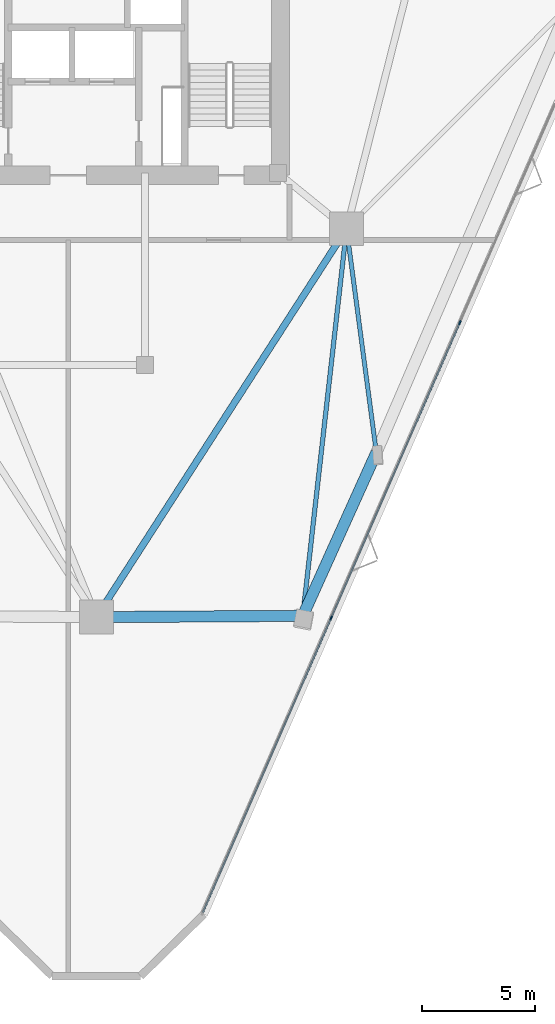
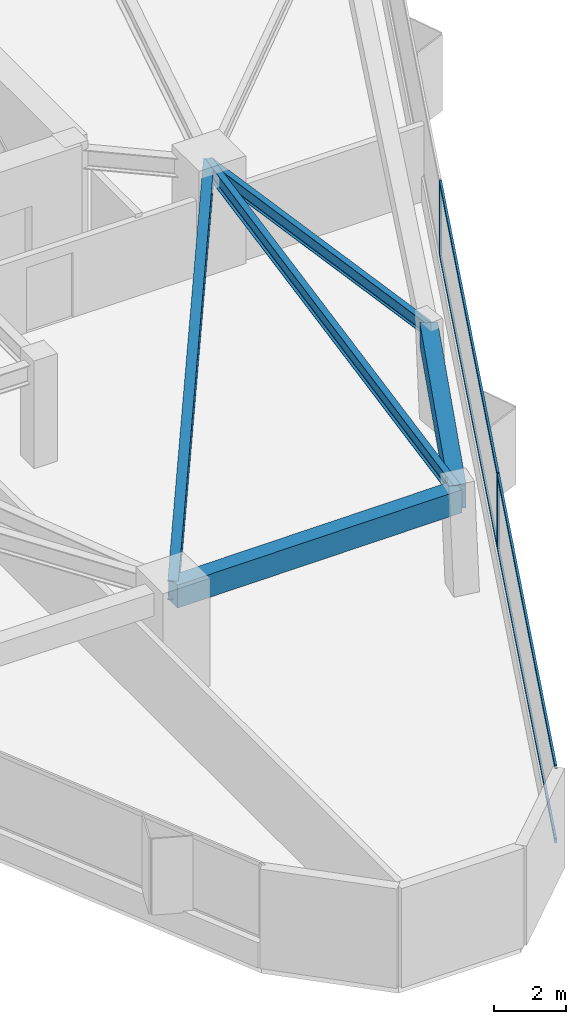
# One storey, part 3 of 11: 6 members, 5 beams, 1 element without a shape of its own.
"""IFC4 building model written with IfcOpenShell, lengths in metres."""

from ifc_helpers import new_model, si_unit, direction, frame, origin, origin_2d, place, context, subcontext, project, spatial, rectangle, i_section, extrude, material, layer, layer_set, material_profile, profile_set, type_object, element, aggregate, save


model = new_model("IFC4")

# Units and contexts
model_context = context("Model", 3, precision=1e-05, world=origin(), true_north=direction((0.0, 1.0)))
body_context = subcontext(model_context, "Body", "Model", "MODEL_VIEW")
ifc_project = project(units=[si_unit("LENGTHUNIT", "METRE"), si_unit("AREAUNIT", "SQUARE_METRE"), si_unit("VOLUMEUNIT", "CUBIC_METRE"), si_unit("PLANEANGLEUNIT", "RADIAN"), si_unit("MASSUNIT", "GRAM", prefix="KILO")], contexts=[model_context])

# Site, building, storey
site_placement = place(None, origin())
site = spatial("IfcSite", under=ifc_project, at=site_placement, CompositionType="ELEMENT")
building_placement = place(site_placement, origin())
building = spatial("IfcBuilding", under=site, at=building_placement, Name="Talyreon Biosciences Tower", CompositionType="ELEMENT")
storey_placement = place(building_placement, frame((0.0, 0.0, 160.050048828125)))
storey = spatial("IfcBuildingStorey", under=building, at=storey_placement, Name="L42", CompositionType="ELEMENT", Elevation=160.050048828125)

# Curtain wall, members
ifc_material_1 = material(Name="Thermally broken aluminium and low-E glazing", Category="aluminium")
ifc_layer = layer(ifc_material_1, 0.18505859375)
ifc_layer_set = layer_set([ifc_layer], Name="Thermally broken aluminium and low-E glazing")
curtain_wall_type = type_object("IfcCurtainWallType", Name="CurtainWall_Zone3Bioprocess", PredefinedType="NOTDEFINED", material=ifc_layer_set)
curtain_wall_placement = place(storey_placement, origin())
curtain_wall = element("IfcCurtainWall", 1, at=curtain_wall_placement, inside=storey, type_object=curtain_wall_type, Name="L42 Unitised Curtain Wall FCW-L42-08", PredefinedType="NOTDEFINED")
ifc_material_2 = material(Name="Anodised thermally broken aluminium", Category="aluminium")
ifc_material_profile_1 = material_profile(ifc_material_2, rectangle(XDim=0.06494140625, YDim=0.179931640625, at=origin_2d()), Name="ALUM MULLION 65x180")
ifc_profile_set_1 = profile_set([ifc_material_profile_1], Name="Anodised thermally broken aluminium")
member_type_1 = type_object("IfcMemberType", Name="CWMullion_65x180", PredefinedType="MULLION", material=ifc_profile_set_1)
member_1_placement = place(storey_placement, frame((82.107177734375, 54.717041015625, 0.81005859375), z_axis=(0.0, 0.0, 1.0), x_axis=(0.916731187474, -0.399504605621, 0.0)))
member_1 = element("IfcMember", 2, at=member_1_placement, type_object=member_type_1, Name="CW4 mullion 3", PredefinedType="MULLION", context=body_context, shape_type="SweptSolid", body=[
    extrude(rectangle(XDim=0.06494140625, YDim=0.179931640625, at=origin_2d()), origin(), (0.0, 0.0, 1.0), 2.56494140625),
])
member_2_placement = place(storey_placement, frame((76.400390625, 41.6220703125, 0.81005859375), z_axis=(0.0, 0.0, 1.0), x_axis=(0.916731187474, -0.399504605621, 0.0)))
member_2 = element("IfcMember", 3, at=member_2_placement, type_object=member_type_1, Name="CW4 mullion 4", PredefinedType="MULLION", context=body_context, shape_type="SweptSolid", body=[
    extrude(rectangle(XDim=0.06494140625, YDim=0.179931640625, at=origin_2d()), origin(), (0.0, 0.0, 1.0), 2.56494140625),
])
ifc_material_profile_2 = material_profile(ifc_material_2, rectangle(XDim=0.06494140625, YDim=0.139892578125, at=origin_2d()), Name="ALUM TRANSOM 65x140")
ifc_profile_set_2 = profile_set([ifc_material_profile_2], Name="Anodised thermally broken aluminium")
member_type_2 = type_object("IfcMemberType", Name="CWTransom_65x140", PredefinedType="USERDEFINED", material=ifc_profile_set_2)
member_3_placement = place(storey_placement, frame((82.09423828125, 54.687255859375, 0.842529296875), z_axis=(-0.39951512908, -0.916726601357, 0.0), x_axis=(0.916726601357, -0.39951512908, 0.0)))
member_3 = element("IfcMember", 4, at=member_3_placement, type_object=member_type_2, Name="CW4 transom 3.1", ObjectType="TRANSOM", PredefinedType="USERDEFINED", context=body_context, shape_type="SweptSolid", body=[
    extrude(rectangle(XDim=0.06494140625, YDim=0.139892578125, at=origin_2d()), origin(), (0.0, 0.0, 1.0), 14.219482421875),
])
member_4_placement = place(storey_placement, frame((82.09423828125, 54.687255859375, 3.342529296875), z_axis=(-0.39951512908, -0.916726601357, 0.0), x_axis=(0.916726601357, -0.39951512908, 0.0)))
member_4 = element("IfcMember", 5, at=member_4_placement, type_object=member_type_2, Name="CW4 transom 3.2", ObjectType="TRANSOM", PredefinedType="USERDEFINED", context=body_context, shape_type="SweptSolid", body=[
    extrude(rectangle(XDim=0.06494140625, YDim=0.139892578125, at=origin_2d()), origin(), (0.0, 0.0, 1.0), 14.219482421875),
])
member_5_placement = place(storey_placement, frame((76.387451171875, 41.592041015625, 0.842529296875), z_axis=(-0.399503101725, -0.916731842859, 0.0), x_axis=(0.916731842859, -0.399503101725, 0.0)))
member_5 = element("IfcMember", 6, at=member_5_placement, type_object=member_type_2, Name="CW4 transom 4.1", ObjectType="TRANSOM", PredefinedType="USERDEFINED", context=body_context, shape_type="SweptSolid", body=[
    extrude(rectangle(XDim=0.06494140625, YDim=0.139892578125, at=origin_2d()), origin(), (0.0, 0.0, 1.0), 14.18701171875),
])
member_6_placement = place(storey_placement, frame((76.387451171875, 41.592041015625, 3.342529296875), z_axis=(-0.399503101725, -0.916731842859, 0.0), x_axis=(0.916731842859, -0.399503101725, 0.0)))
member_6 = element("IfcMember", 7, at=member_6_placement, type_object=member_type_2, Name="CW4 transom 4.2", ObjectType="TRANSOM", PredefinedType="USERDEFINED", context=body_context, shape_type="SweptSolid", body=[
    extrude(rectangle(XDim=0.06494140625, YDim=0.139892578125, at=origin_2d()), origin(), (0.0, 0.0, 1.0), 14.18701171875),
])
aggregate(curtain_wall, [member_1, member_2, member_3, member_4, member_5, member_6])

# Beams
ifc_material_3 = material(Name="Precast concrete C45/55", Category="concrete")
ifc_material_profile_3 = material_profile(ifc_material_3, rectangle(XDim=0.5, YDim=0.780029296875, at=origin_2d()), Name="RCB 500x780")
ifc_profile_set_3 = profile_set([ifc_material_profile_3], Name="Precast concrete C45/55")
beam_type_1 = type_object("IfcBeamType", Name="ExpressedSpandrel_500x780", PredefinedType="SPANDREL", material=ifc_profile_set_3)
beam_1_placement = place(storey_placement, frame((66.0, 41.6669921875, 2.98486328125), z_axis=(0.99998032622, 0.006272732474, 0.0), x_axis=(-0.006272732474, 0.99998032622, 0.0)))
element("IfcBeam", 8, at=beam_1_placement, inside=storey, type_object=beam_type_1, Name="L42 Expressed Horizontal Concrete Spandrel 01", PredefinedType="SPANDREL", context=body_context, shape_type="SweptSolid", body=[
    extrude(rectangle(XDim=0.5, YDim=0.780029296875, at=origin_2d()), origin(), (0.0, 0.0, 1.0), 9.146484375),
])
beam_2_placement = place(storey_placement, frame((75.146240234375, 41.724365234375, 2.98486328125), z_axis=(0.41095434497, 0.911655925418, 0.0), x_axis=(-0.911655925418, 0.41095434497, 0.0)))
element("IfcBeam", 9, at=beam_2_placement, inside=storey, type_object=beam_type_1, Name="L42 Expressed Horizontal Concrete Spandrel 02", PredefinedType="SPANDREL", context=body_context, shape_type="SweptSolid", body=[
    extrude(rectangle(XDim=0.5, YDim=0.780029296875, at=origin_2d()), origin(), (0.0, 0.0, 1.0), 7.93505859375),
])
ifc_material_4 = material(Name="Steel SM355", Category="steel")
ifc_material_profile_4 = material_profile(ifc_material_4, i_section(OverallWidth=0.300048828125, OverallDepth=0.64990234375, WebThickness=0.01611328125, FlangeThickness=0.031005859375, FilletRadius=0.027099609375, at=origin_2d()), Name="HE650B")
ifc_profile_set_4 = profile_set([ifc_material_profile_4], Name="Steel SM355")
beam_type_2 = type_object("IfcBeamType", Name="SteelBeam_HE650B", PredefinedType="BEAM", material=ifc_profile_set_4)
beam_3_placement = place(storey_placement, frame((66.0, 41.6669921875, 3.050048828125), z_axis=(0.541463723609, 0.840724114092, 0.0), x_axis=(-0.840724114092, 0.541463723609, 0.0)))
element("IfcBeam", 10, at=beam_3_placement, inside=storey, type_object=beam_type_2, Name="L42 Mega-Ring Girder 1", PredefinedType="BEAM", context=body_context, shape_type="SweptSolid", body=[
    extrude(i_section(OverallWidth=0.300048828125, OverallDepth=0.64990234375, WebThickness=0.01611328125, FlangeThickness=0.031005859375, FilletRadius=0.027099609375, at=origin_2d()), origin(), (0.0, 0.0, 1.0), 20.474365234375),
])
ifc_material_profile_5 = material_profile(ifc_material_4, i_section(OverallWidth=0.18994140625, OverallDepth=0.449951171875, WebThickness=0.009521484375, FlangeThickness=0.0146484375, FilletRadius=0.02099609375, at=origin_2d()), Name="IPE450")
ifc_profile_set_5 = profile_set([ifc_material_profile_5], Name="Steel SM355")
beam_type_3 = type_object("IfcBeamType", Name="SteelJoist_IPE450", PredefinedType="JOIST", material=ifc_profile_set_5)
beam_4_placement = place(storey_placement, frame((77.086181640625, 58.88037109375, 3.14990234375), z_axis=(0.131979986092, -0.991252381218, 0.0), x_axis=(0.991252381218, 0.131979986092, 0.0)))
element("IfcBeam", 11, at=beam_4_placement, inside=storey, type_object=beam_type_3, Name="L42 Radial Composite Floor Joist PL-SE", PredefinedType="JOIST", context=body_context, shape_type="SweptSolid", body=[
    extrude(i_section(OverallWidth=0.18994140625, OverallDepth=0.449951171875, WebThickness=0.009521484375, FlangeThickness=0.0146484375, FilletRadius=0.02099609375, at=origin_2d()), origin(), (0.0, 0.0, 1.0), 10.009521484375),
])
ifc_material_profile_6 = material_profile(ifc_material_4, i_section(OverallWidth=0.199951171875, OverallDepth=0.5, WebThickness=0.01025390625, FlangeThickness=0.01611328125, FilletRadius=0.02099609375, at=origin_2d()), Name="IPE500")
ifc_profile_set_6 = profile_set([ifc_material_profile_6], Name="Steel SM355")
beam_type_4 = type_object("IfcBeamType", Name="SteelJoist_IPE500", PredefinedType="JOIST", material=ifc_profile_set_6)
beam_5_placement = place(storey_placement, frame((77.086181640625, 58.88037109375, 3.125), z_axis=(-0.112360462476, -0.993667513041, 0.0), x_axis=(0.993667513041, -0.112360462476, 0.0)))
element("IfcBeam", 12, at=beam_5_placement, inside=storey, type_object=beam_type_4, Name="L42 Radial Composite Floor Joist PC-SE1", PredefinedType="JOIST", context=body_context, shape_type="SweptSolid", body=[
    extrude(i_section(OverallWidth=0.199951171875, OverallDepth=0.5, WebThickness=0.01025390625, FlangeThickness=0.01611328125, FilletRadius=0.02099609375, at=origin_2d()), origin(), (0.0, 0.0, 1.0), 17.265380859375),
])

save(model, "model.ifc")
